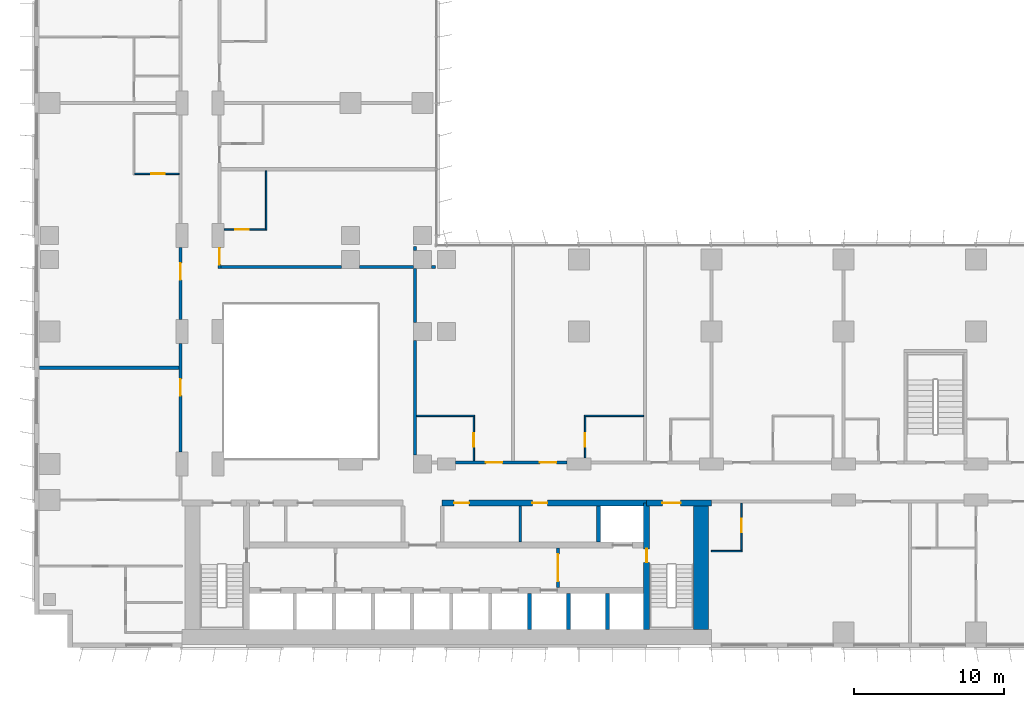
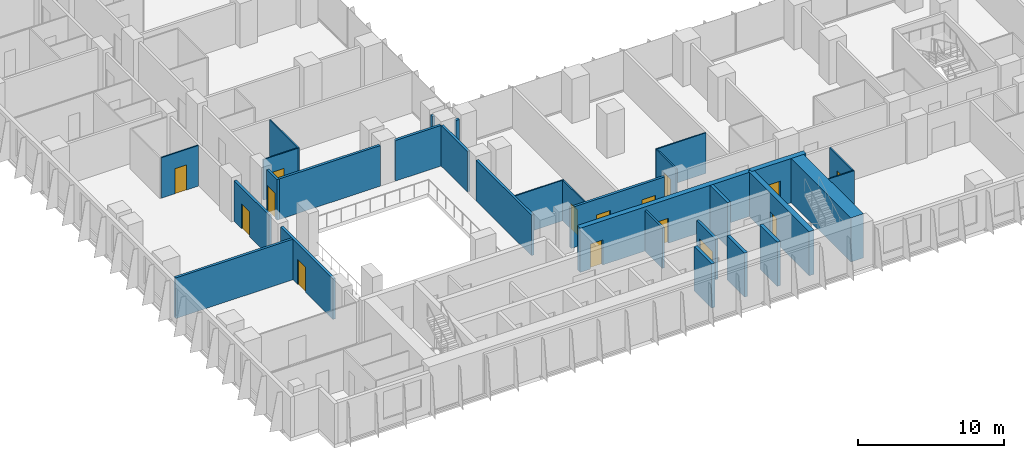
# One storey, part 13 of 24: 30 walls, 15 doors, 15 openings.
"""IFC4 building model written with IfcOpenShell, lengths in metres."""

from ifc_helpers import new_model, si_unit, direction, frame, frame_2d, origin, place, context, subcontext, project, spatial, rectangle, extrude, material, layer, layer_set, type_object, element, fill, save


model = new_model("IFC4")

# Units and contexts
model_context = context("Model", 3, precision=1e-05, world=origin(), true_north=direction((0.0, 1.0)))
body_context = subcontext(model_context, "Body", "Model", "MODEL_VIEW")
ifc_project = project(units=[si_unit("LENGTHUNIT", "METRE"), si_unit("AREAUNIT", "SQUARE_METRE"), si_unit("VOLUMEUNIT", "CUBIC_METRE"), si_unit("PLANEANGLEUNIT", "RADIAN"), si_unit("MASSUNIT", "GRAM", prefix="KILO")], contexts=[model_context])

# Site, building, storey
site_placement = place(None, origin())
site = spatial("IfcSite", under=ifc_project, at=site_placement, CompositionType="ELEMENT")
building_placement = place(site_placement, origin())
building = spatial("IfcBuilding", under=site, at=building_placement, Name="Kemantara Hotel Tower", CompositionType="ELEMENT")
storey_placement = place(building_placement, frame((0.0, 0.0, 76.0)))
storey = spatial("IfcBuildingStorey", under=building, at=storey_placement, Name="L17", CompositionType="ELEMENT", Elevation=76.0)

# Walls
ifc_material_1 = material(Name="Concrete fc 70 MPa", Category="concrete")
ifc_layer_1 = layer(ifc_material_1, 1.0)
ifc_layer_set_1 = layer_set([ifc_layer_1], Name="Concrete fc 70 MPa")
wall_type_1 = type_object("IfcWallType", Name="CORE WALL 1000 FC70", PredefinedType="SHEAR", material=ifc_layer_set_1)
wall_1_placement = place(storey_placement, frame((44.300048828125, 1.199951171875, 0.0), z_axis=(0.0, 0.0, 1.0), x_axis=(0.0, 1.0, 0.0)))
element("IfcWall", 1, at=wall_1_placement, inside=storey, type_object=wall_type_1, Name="CORE WALL CW-E", PredefinedType="SHEAR", context=body_context, shape_type="SweptSolid", body=[
    extrude(rectangle(XDim=8.60009765625, YDim=1.0, at=frame_2d((4.300048828125, 0.0))), origin(), (0.0, 0.0, 1.0), 3.699951171875),
])
ifc_layer_2 = layer(ifc_material_1, 0.25)
ifc_layer_set_2 = layer_set([ifc_layer_2], Name="Concrete fc 70 MPa")
wall_type_2 = type_object("IfcWallType", Name="CORE WALL 250 FC70", PredefinedType="SHEAR", material=ifc_layer_set_2)
for number, where, z_axis, x_axis, name in (
    (2, (32.89990234375, 1.199951171875, 0.0), (0.0, 0.0, 1.0), (0.0, 1.0, 0.0), "CORE WALL CW-DS32.9"),
    (3, (35.5, 1.199951171875, 0.0), (0.0, 0.0, 1.0), (0.0, 1.0, 0.0), "CORE WALL CW-DS35.5"),
    (4, (38.10009765625, 1.199951171875, 0.0), (0.0, 0.0, 1.0), (0.0, 1.0, 0.0), "CORE WALL CW-DS38.1"),
):
    element("IfcWall", number, at=place(storey_placement, frame(where, z_axis=z_axis, x_axis=x_axis)), inside=storey, type_object=wall_type_2, Name=name, PredefinedType="SHEAR", context=body_context, shape_type="SweptSolid", body=[
        extrude(rectangle(XDim=2.400146484375, YDim=0.25, at=frame_2d((1.2001953125, 0.0))), origin(), (0.0, 0.0, 1.0), 3.699951171875),
    ])
wall_2_placement = place(storey_placement, frame((37.5, 7.0, 0.0), z_axis=(0.0, 0.0, 1.0), x_axis=(0.0, 1.0, 0.0)))
element("IfcWall", 5, at=wall_2_placement, inside=storey, type_object=wall_type_2, Name="CORE WALL CW-DN37.5", PredefinedType="SHEAR", context=body_context, shape_type="SweptSolid", body=[
    extrude(rectangle(XDim=2.39990234375, YDim=0.25, at=frame_2d((1.199951171875, 0.0))), origin(), (0.0, 0.0, 1.0), 3.699951171875),
])

# Wall, opening, door
ifc_layer_3 = layer(ifc_material_1, 0.39990234375)
ifc_layer_set_3 = layer_set([ifc_layer_3], Name="Concrete fc 70 MPa")
wall_type_3 = type_object("IfcWallType", Name="CORE WALL 400 FC70", PredefinedType="SHEAR", material=ifc_layer_set_3)
wall_3_placement = place(storey_placement, frame((40.699951171875, 9.60009765625, 0.0), z_axis=(0.0, 0.0, 1.0), x_axis=(1.0, 0.0, 0.0)))
wall_3 = element("IfcWall", 6, at=wall_3_placement, inside=storey, type_object=wall_type_3, Name="CORE WALL CW-N2", PredefinedType="SHEAR", context=body_context, shape_type="SweptSolid", body=[
    extrude(rectangle(XDim=4.300048828125, YDim=0.39990234375, at=frame_2d((2.14990234375, 0.0))), origin(), (0.0, 0.0, 1.0), 3.699951171875),
])
opening_1_placement = place(wall_3_placement, frame((1.050048828125, 0.0, 0.0)))
opening_1 = element("IfcOpeningElement", 7, at=opening_1_placement, cuts=wall_3, Name="Opening C13-ST2-C", PredefinedType="OPENING", context=body_context, shape_type="SweptSolid", body=[
    extrude(rectangle(XDim=1.199951171875, YDim=2.10009765625, at=frame_2d((0.60009765625, 1.050048828125))), frame((0.0, 0.2099609375, 0.0), z_axis=(0.0, -1.0, 0.0), x_axis=(1.0, 0.0, 0.0)), (0.0, 0.0, 1.0), 0.419921875),
])
ifc_material_2 = material(Name="Steel fire door", Category="steel")
door_type_1 = type_object("IfcDoorType", Name="Fire door FD90 1200 x 2100", OperationType="NOTDEFINED", PredefinedType="DOOR", material=ifc_material_2)
door_1_placement = place(opening_1_placement, frame((1.199951171875, 0.0, 0.0), z_axis=(0.0, 0.0, 1.0), x_axis=(-1.0, 0.0, 0.0)))
door_1 = element("IfcDoor", 8, at=door_1_placement, inside=storey, type_object=door_type_1, Name="Stair ST2 door to corridor", OperationType="SINGLE_SWING_RIGHT", OverallHeight=2.10009765625, OverallWidth=1.199951171875, PredefinedType="DOOR", context=body_context, shape_type="SweptSolid", body=[
    extrude(rectangle(XDim=1.199951171875, YDim=2.10009765625, at=frame_2d((0.60009765625, 1.050048828125))), frame((0.0, 0.02490234375, 0.0), z_axis=(0.0, -1.0, 0.0), x_axis=(1.0, 0.0, 0.0)), (0.0, 0.0, 1.0), 0.050048828125),
])
fill(opening_1, door_1)

# Wall, openings, doors
wall_4_placement = place(storey_placement, frame((27.10009765625, 9.60009765625, 0.0), z_axis=(0.0, 0.0, 1.0), x_axis=(1.0, 0.0, 0.0)))
wall_4 = element("IfcWall", 9, at=wall_4_placement, inside=storey, type_object=wall_type_3, Name="CORE WALL CW-NN2", PredefinedType="SHEAR", context=body_context, shape_type="SweptSolid", body=[
    extrude(rectangle(XDim=13.599853515625, YDim=0.39990234375, at=frame_2d((6.7998046875, 0.0))), origin(), (0.0, 0.0, 1.0), 3.699951171875),
])
opening_2_placement = place(wall_4_placement, frame((0.800048828125, 0.0, 0.0)))
opening_2 = element("IfcOpeningElement", 10, at=opening_2_placement, cuts=wall_4, Name="Opening C13-R-NE1", PredefinedType="OPENING", context=body_context, shape_type="SweptSolid", body=[
    extrude(rectangle(XDim=1.0, YDim=2.10009765625, at=frame_2d((0.5, 1.050048828125))), frame((0.0, 0.2099609375, 0.0), z_axis=(0.0, -1.0, 0.0), x_axis=(1.0, 0.0, 0.0)), (0.0, 0.0, 1.0), 0.419921875),
])
opening_3_placement = place(wall_4_placement, frame((6.0, 0.0, 0.0)))
opening_3 = element("IfcOpeningElement", 11, at=opening_3_placement, cuts=wall_4, Name="Opening C13-R-NE2", PredefinedType="OPENING", context=body_context, shape_type="SweptSolid", body=[
    extrude(rectangle(XDim=1.0, YDim=2.10009765625, at=frame_2d((0.5, 1.050048828125))), frame((0.0, 0.2099609375, 0.0), z_axis=(0.0, -1.0, 0.0), x_axis=(1.0, 0.0, 0.0)), (0.0, 0.0, 1.0), 0.419921875),
])
door_type_2 = type_object("IfcDoorType", Name="Fire door FD30S 1000 x 2100", OperationType="NOTDEFINED", PredefinedType="DOOR", material=ifc_material_2)
door_2_placement = place(opening_2_placement, frame((1.0, 0.0, 0.0), z_axis=(0.0, 0.0, 1.0), x_axis=(-1.0, 0.0, 0.0)))
door_2 = element("IfcDoor", 12, at=door_2_placement, inside=storey, type_object=door_type_2, Name="Staff Lounge door", OperationType="SINGLE_SWING_RIGHT", OverallHeight=2.10009765625, OverallWidth=1.0, PredefinedType="DOOR", context=body_context, shape_type="SweptSolid", body=[
    extrude(rectangle(XDim=1.0, YDim=2.10009765625, at=frame_2d((0.5, 1.050048828125))), frame((0.0, 0.02490234375, 0.0), z_axis=(0.0, -1.0, 0.0), x_axis=(1.0, 0.0, 0.0)), (0.0, 0.0, 1.0), 0.050048828125),
])
fill(opening_2, door_2)
door_type_3 = type_object("IfcDoorType", Name="Fire door FD60 1000 x 2100", OperationType="NOTDEFINED", PredefinedType="DOOR", material=ifc_material_2)
door_3_placement = place(opening_3_placement, frame((1.0, 0.0, 0.0), z_axis=(0.0, 0.0, 1.0), x_axis=(-1.0, 0.0, 0.0)))
door_3 = element("IfcDoor", 13, at=door_3_placement, inside=storey, type_object=door_type_3, Name="It Equipment Room door", OperationType="SINGLE_SWING_RIGHT", OverallHeight=2.10009765625, OverallWidth=1.0, PredefinedType="DOOR", context=body_context, shape_type="SweptSolid", body=[
    extrude(rectangle(XDim=1.0, YDim=2.10009765625, at=frame_2d((0.5, 1.050048828125))), frame((0.0, 0.02490234375, 0.0), z_axis=(0.0, -1.0, 0.0), x_axis=(1.0, 0.0, 0.0)), (0.0, 0.0, 1.0), 0.050048828125),
])
fill(opening_3, door_3)

# Wall, opening, door
wall_5_placement = place(storey_placement, frame((40.699951171875, 1.199951171875, 0.0), z_axis=(0.0, 0.0, 1.0), x_axis=(0.0, 1.0, 0.0)))
wall_5 = element("IfcWall", 14, at=wall_5_placement, inside=storey, type_object=wall_type_3, Name="CORE WALL CW-ST2W", PredefinedType="SHEAR", context=body_context, shape_type="SweptSolid", body=[
    extrude(rectangle(XDim=8.400146484375, YDim=0.39990234375, at=frame_2d((4.2001953125, 0.0))), origin(), (0.0, 0.0, 1.0), 3.699951171875),
])
opening_4_placement = place(wall_5_placement, frame((4.449951171875, 0.0, 0.0)))
opening_4 = element("IfcOpeningElement", 15, at=opening_4_placement, cuts=wall_5, Name="Opening C13-ST2-F", PredefinedType="OPENING", context=body_context, shape_type="SweptSolid", body=[
    extrude(rectangle(XDim=0.89990234375, YDim=2.10009765625, at=frame_2d((0.449951171875, 1.050048828125))), frame((0.0, 0.2099609375, 0.0), z_axis=(0.0, -1.0, 0.0), x_axis=(1.0, 0.0, 0.0)), (0.0, 0.0, 1.0), 0.419921875),
])
door_type_4 = type_object("IfcDoorType", Name="Fire door FD90 900 x 2100", OperationType="NOTDEFINED", PredefinedType="DOOR", material=ifc_material_2)
door_4_placement = place(opening_4_placement, frame((0.89990234375, 0.0, 0.0), z_axis=(0.0, 0.0, 1.0), x_axis=(-1.0, 0.0, 0.0)))
door_4 = element("IfcDoor", 16, at=door_4_placement, inside=storey, type_object=door_type_4, Name="Stair ST2 door to firefighting lobby", OperationType="SINGLE_SWING_LEFT", OverallHeight=2.10009765625, OverallWidth=0.89990234375, PredefinedType="DOOR", context=body_context, shape_type="SweptSolid", body=[
    extrude(rectangle(XDim=0.89990234375, YDim=2.10009765625, at=frame_2d((0.449951171875, 1.050048828125))), frame((0.0, 0.02490234375, 0.0), z_axis=(0.0, -1.0, 0.0), x_axis=(1.0, 0.0, 0.0)), (0.0, 0.0, 1.0), 0.050048828125),
])
fill(opening_4, door_4)

# Wall, openings, doors
ifc_material_3 = material(Name="Gypsum board partition, steel studs and mineral wool, 200 mm", Category="steel")
ifc_layer_4 = layer(ifc_material_3, 0.199951171875)
ifc_layer_set_4 = layer_set([ifc_layer_4], Name="Gypsum board partition, steel studs and mineral wool, 200 mm")
wall_type_4 = type_object("IfcWallType", Name="CORRIDOR WALL 200", PredefinedType="PARTITIONING", material=ifc_layer_set_4)
wall_6_placement = place(storey_placement, frame((28.0, 12.300048828125, 0.0), z_axis=(0.0, 0.0, 1.0), x_axis=(1.0, 0.0, 0.0)))
wall_6 = element("IfcWall", 17, at=wall_6_placement, inside=storey, type_object=wall_type_4, Name="CORRIDOR WALL 200 010", PredefinedType="PARTITIONING", context=body_context, shape_type="SweptSolid", body=[
    extrude(rectangle(XDim=7.39990234375, YDim=0.199951171875, at=frame_2d((3.699951171875, 0.0))), origin(), (0.0, 0.0, 1.0), 3.39990234375),
])
opening_5_placement = place(wall_6_placement, frame((2.0, 0.0, 0.0)))
opening_5 = element("IfcOpeningElement", 18, at=opening_5_placement, cuts=wall_6, Name="Opening F06-013", PredefinedType="OPENING", context=body_context, shape_type="SweptSolid", body=[
    extrude(rectangle(XDim=1.10009765625, YDim=2.10009765625, at=frame_2d((0.550048828125, 1.050048828125))), frame((0.0, 0.10986328125, 0.0), z_axis=(0.0, -1.0, 0.0), x_axis=(1.0, 0.0, 0.0)), (0.0, 0.0, 1.0), 0.219970703125),
])
opening_6_placement = place(wall_6_placement, frame((5.599853515625, 0.0, 0.0)))
opening_6 = element("IfcOpeningElement", 19, at=opening_6_placement, cuts=wall_6, Name="Opening F06-015", PredefinedType="OPENING", context=body_context, shape_type="SweptSolid", body=[
    extrude(rectangle(XDim=1.10009765625, YDim=2.10009765625, at=frame_2d((0.550048828125, 1.050048828125))), frame((0.0, 0.10986328125, 0.0), z_axis=(0.0, -1.0, 0.0), x_axis=(1.0, 0.0, 0.0)), (0.0, 0.0, 1.0), 0.219970703125),
])
ifc_material_4 = material(Name="Hardwood veneer door leaf with steel frame", Category="steel")
door_type_5 = type_object("IfcDoorType", Name="SUITE ENTRANCE DOOR 1100 X 2100 FD30S", OperationType="NOTDEFINED", PredefinedType="DOOR", material=ifc_material_4)
door_5_placement = place(opening_5_placement, origin())
door_5 = element("IfcDoor", 20, at=door_5_placement, inside=storey, type_object=door_type_5, Name="SUITE ENTRANCE DOOR F06-013", OperationType="SINGLE_SWING_RIGHT", OverallHeight=2.10009765625, OverallWidth=1.10009765625, PredefinedType="DOOR", context=body_context, shape_type="SweptSolid", body=[
    extrude(rectangle(XDim=1.10009765625, YDim=2.10009765625, at=frame_2d((0.550048828125, 1.050048828125))), frame((0.0, 0.02490234375, 0.0), z_axis=(0.0, -1.0, 0.0), x_axis=(1.0, 0.0, 0.0)), (0.0, 0.0, 1.0), 0.050048828125),
])
fill(opening_5, door_5)
door_6_placement = place(opening_6_placement, origin())
door_6 = element("IfcDoor", 21, at=door_6_placement, inside=storey, type_object=door_type_5, Name="SUITE ENTRANCE DOOR F06-015", OperationType="SINGLE_SWING_LEFT", OverallHeight=2.10009765625, OverallWidth=1.10009765625, PredefinedType="DOOR", context=body_context, shape_type="SweptSolid", body=[
    extrude(rectangle(XDim=1.10009765625, YDim=2.10009765625, at=frame_2d((0.550048828125, 1.050048828125))), frame((0.0, 0.02490234375, 0.0), z_axis=(0.0, -1.0, 0.0), x_axis=(1.0, 0.0, 0.0)), (0.0, 0.0, 1.0), 0.050048828125),
])
fill(opening_6, door_6)

# Wall, opening, door
wall_7_placement = place(storey_placement, frame((9.699951171875, 13.0, 0.0), z_axis=(0.0, 0.0, 1.0), x_axis=(0.0, 1.0, 0.0)))
wall_7 = element("IfcWall", 22, at=wall_7_placement, inside=storey, type_object=wall_type_4, Name="CORRIDOR WALL 200 026", PredefinedType="PARTITIONING", context=body_context, shape_type="SweptSolid", body=[
    extrude(rectangle(XDim=7.199951171875, YDim=0.199951171875, at=frame_2d((3.60009765625, 0.0))), origin(), (0.0, 0.0, 1.0), 3.39990234375),
])
opening_7_placement = place(wall_7_placement, frame((3.75, 0.0, 0.0)))
opening_7 = element("IfcOpeningElement", 23, at=opening_7_placement, cuts=wall_7, Name="Opening F06-029", PredefinedType="OPENING", context=body_context, shape_type="SweptSolid", body=[
    extrude(rectangle(XDim=1.10009765625, YDim=2.10009765625, at=frame_2d((0.550048828125, 1.050048828125))), frame((0.0, 0.10986328125, 0.0), z_axis=(0.0, -1.0, 0.0), x_axis=(1.0, 0.0, 0.0)), (0.0, 0.0, 1.0), 0.219970703125),
])
door_7_placement = place(opening_7_placement, origin())
door_7 = element("IfcDoor", 24, at=door_7_placement, inside=storey, type_object=door_type_5, Name="SUITE ENTRANCE DOOR F06-029", OperationType="SINGLE_SWING_RIGHT", OverallHeight=2.10009765625, OverallWidth=1.10009765625, PredefinedType="DOOR", context=body_context, shape_type="SweptSolid", body=[
    extrude(rectangle(XDim=1.10009765625, YDim=2.10009765625, at=frame_2d((0.550048828125, 1.050048828125))), frame((0.0, 0.02490234375, 0.0), z_axis=(0.0, -1.0, 0.0), x_axis=(1.0, 0.0, 0.0)), (0.0, 0.0, 1.0), 0.050048828125),
])
fill(opening_7, door_7)

wall_8_placement = place(storey_placement, frame((9.699951171875, 21.800048828125, 0.0), z_axis=(0.0, 0.0, 1.0), x_axis=(0.0, 1.0, 0.0)))
wall_8 = element("IfcWall", 25, at=wall_8_placement, inside=storey, type_object=wall_type_4, Name="CORRIDOR WALL 200 027", PredefinedType="PARTITIONING", context=body_context, shape_type="SweptSolid", body=[
    extrude(rectangle(XDim=4.7998046875, YDim=0.199951171875, at=frame_2d((2.39990234375, 0.0))), origin(), (0.0, 0.0, 1.0), 3.39990234375),
])
opening_8_placement = place(wall_8_placement, frame((2.64990234375, 0.0, 0.0)))
opening_8 = element("IfcOpeningElement", 26, at=opening_8_placement, cuts=wall_8, Name="Opening F06-034", PredefinedType="OPENING", context=body_context, shape_type="SweptSolid", body=[
    extrude(rectangle(XDim=1.10009765625, YDim=2.10009765625, at=frame_2d((0.550048828125, 1.050048828125))), frame((0.0, 0.10986328125, 0.0), z_axis=(0.0, -1.0, 0.0), x_axis=(1.0, 0.0, 0.0)), (0.0, 0.0, 1.0), 0.219970703125),
])
door_8_placement = place(opening_8_placement, origin())
door_8 = element("IfcDoor", 27, at=door_8_placement, inside=storey, type_object=door_type_5, Name="SUITE ENTRANCE DOOR F06-034", OperationType="SINGLE_SWING_LEFT", OverallHeight=2.10009765625, OverallWidth=1.10009765625, PredefinedType="DOOR", context=body_context, shape_type="SweptSolid", body=[
    extrude(rectangle(XDim=1.10009765625, YDim=2.10009765625, at=frame_2d((0.550048828125, 1.050048828125))), frame((0.0, 0.02490234375, 0.0), z_axis=(0.0, -1.0, 0.0), x_axis=(1.0, 0.0, 0.0)), (0.0, 0.0, 1.0), 0.050048828125),
])
fill(opening_8, door_8)

wall_9_placement = place(storey_placement, frame((12.300048828125, 26.599853515625, 0.0), z_axis=(0.0, 0.0, 1.0), x_axis=(0.0, -1.0, 0.0)))
wall_9 = element("IfcWall", 28, at=wall_9_placement, inside=storey, type_object=wall_type_4, Name="CORRIDOR WALL 200 044", PredefinedType="PARTITIONING", context=body_context, shape_type="SweptSolid", body=[
    extrude(rectangle(XDim=1.39990234375, YDim=0.199951171875, at=frame_2d((0.699951171875, 0.0))), origin(), (0.0, 0.0, 1.0), 3.39990234375),
])
opening_9_placement = place(wall_9_placement, frame((0.0498046875, 0.0, 0.0)))
opening_9 = element("IfcOpeningElement", 29, at=opening_9_placement, cuts=wall_9, Name="Opening F06-052", PredefinedType="OPENING", context=body_context, shape_type="SweptSolid", body=[
    extrude(rectangle(XDim=1.10009765625, YDim=2.10009765625, at=frame_2d((0.550048828125, 1.050048828125))), frame((0.0, 0.10986328125, 0.0), z_axis=(0.0, -1.0, 0.0), x_axis=(1.0, 0.0, 0.0)), (0.0, 0.0, 1.0), 0.219970703125),
])
door_9_placement = place(opening_9_placement, origin())
door_9 = element("IfcDoor", 30, at=door_9_placement, inside=storey, type_object=door_type_5, Name="SUITE ENTRANCE DOOR F06-052", OperationType="SINGLE_SWING_RIGHT", OverallHeight=2.10009765625, OverallWidth=1.10009765625, PredefinedType="DOOR", context=body_context, shape_type="SweptSolid", body=[
    extrude(rectangle(XDim=1.10009765625, YDim=2.10009765625, at=frame_2d((0.550048828125, 1.050048828125))), frame((0.0, 0.02490234375, 0.0), z_axis=(0.0, -1.0, 0.0), x_axis=(1.0, 0.0, 0.0)), (0.0, 0.0, 1.0), 0.050048828125),
])
fill(opening_9, door_9)

# Walls
ifc_layer_5 = layer(ifc_material_3, 0.199951171875)
ifc_layer_set_5 = layer_set([ifc_layer_5], Name="Gypsum board partition, steel studs and mineral wool, 200 mm")
wall_type_5 = type_object("IfcWallType", Name="GUEST ROOM PARTY WALL 200", PredefinedType="PARTITIONING", material=ifc_layer_set_5)
wall_10_placement = place(storey_placement, frame((25.300048828125, 12.800048828125, 0.0), z_axis=(0.0, 0.0, 1.0), x_axis=(0.0, 1.0, 0.0)))
element("IfcWall", 31, at=wall_10_placement, inside=storey, type_object=wall_type_5, Name="GUEST ROOM PARTY WALL 200 016", PredefinedType="PARTITIONING", context=body_context, shape_type="SweptSolid", body=[
    extrude(rectangle(XDim=7.599853515625, YDim=0.199951171875, at=frame_2d((3.7998046875, 0.0))), origin(), (0.0, 0.0, 1.0), 3.39990234375),
])
wall_11_placement = place(storey_placement, frame((25.300048828125, 21.60009765625, 0.0), z_axis=(0.0, 0.0, 1.0), x_axis=(0.0, 1.0, 0.0)))
element("IfcWall", 32, at=wall_11_placement, inside=storey, type_object=wall_type_5, Name="GUEST ROOM PARTY WALL 200 017", PredefinedType="PARTITIONING", context=body_context, shape_type="SweptSolid", body=[
    extrude(rectangle(XDim=3.599853515625, YDim=0.199951171875, at=frame_2d((1.7998046875, 0.0))), origin(), (0.0, 0.0, 1.0), 3.39990234375),
])
wall_12_placement = place(storey_placement, frame((25.300048828125, 26.400146484375, 0.0), z_axis=(0.0, 0.0, 1.0), x_axis=(0.0, 1.0, 0.0)))
element("IfcWall", 33, at=wall_12_placement, inside=storey, type_object=wall_type_5, Name="GUEST ROOM PARTY WALL 200 018", PredefinedType="PARTITIONING", context=body_context, shape_type="SweptSolid", body=[
    extrude(rectangle(XDim=0.269775390625, YDim=0.199951171875, at=frame_2d((0.134765625, 0.0))), origin(), (0.0, 0.0, 1.0), 3.39990234375),
])
wall_13_placement = place(storey_placement, frame((0.31005859375, 18.60009765625, 0.0), z_axis=(0.0, 0.0, 1.0), x_axis=(1.0, 0.0, 0.0)))
element("IfcWall", 34, at=wall_13_placement, inside=storey, type_object=wall_type_5, Name="GUEST ROOM PARTY WALL 200 034", PredefinedType="PARTITIONING", context=body_context, shape_type="SweptSolid", body=[
    extrude(rectangle(XDim=9.2900390625, YDim=0.199951171875, at=frame_2d((4.64501953125, 0.0))), origin(), (0.0, 0.0, 1.0), 3.39990234375),
])
wall_14_placement = place(storey_placement, frame((12.39990234375, 25.300048828125, 0.0), z_axis=(0.0, 0.0, 1.0), x_axis=(1.0, 0.0, 0.0)))
element("IfcWall", 35, at=wall_14_placement, inside=storey, type_object=wall_type_5, Name="GUEST ROOM PARTY WALL 200 051", PredefinedType="PARTITIONING", context=body_context, shape_type="SweptSolid", body=[
    extrude(rectangle(XDim=8.0, YDim=0.199951171875, at=frame_2d((4.0, 0.0))), origin(), (0.0, 0.0, 1.0), 3.39990234375),
])
wall_15_placement = place(storey_placement, frame((21.60009765625, 25.300048828125, 0.0), z_axis=(0.0, 0.0, 1.0), x_axis=(1.0, 0.0, 0.0)))
element("IfcWall", 36, at=wall_15_placement, inside=storey, type_object=wall_type_5, Name="GUEST ROOM PARTY WALL 200 052", PredefinedType="PARTITIONING", context=body_context, shape_type="SweptSolid", body=[
    extrude(rectangle(XDim=3.599853515625, YDim=0.199951171875, at=frame_2d((1.7998046875, 0.0))), origin(), (0.0, 0.0, 1.0), 3.39990234375),
])
wall_16_placement = place(storey_placement, frame((26.400146484375, 25.300048828125, 0.0), z_axis=(0.0, 0.0, 1.0), x_axis=(1.0, 0.0, 0.0)))
element("IfcWall", 37, at=wall_16_placement, inside=storey, type_object=wall_type_5, Name="GUEST ROOM PARTY WALL 200 053", PredefinedType="PARTITIONING", context=body_context, shape_type="SweptSolid", body=[
    extrude(rectangle(XDim=0.269775390625, YDim=0.199951171875, at=frame_2d((0.134765625, 0.0))), origin(), (0.0, 0.0, 1.0), 3.39990234375),
])
ifc_material_5 = material(Name="Gypsum board partition")
ifc_layer_6 = layer(ifc_material_5, 0.14990234375)
ifc_layer_set_6 = layer_set([ifc_layer_6], Name="Gypsum board partition")
wall_type_6 = type_object("IfcWallType", Name="Gypsum board partition 150 mm", PredefinedType="PARTITIONING", material=ifc_layer_set_6)
wall_17_placement = place(storey_placement, frame((32.300048828125, 7.0, 0.0), z_axis=(0.0, 0.0, 1.0), x_axis=(0.0, 1.0, 0.0)))
element("IfcWall", 38, at=wall_17_placement, inside=storey, type_object=wall_type_6, Name="Core room partition", PredefinedType="PARTITIONING", context=body_context, shape_type="SweptSolid", body=[
    extrude(rectangle(XDim=2.39990234375, YDim=0.14990234375, at=frame_2d((1.199951171875, 0.0))), origin(), (0.0, 0.0, 1.0), 3.39990234375),
])

# Wall, opening, door
ifc_material_6 = material(Name="Gypsum board shaft wall")
ifc_layer_7 = layer(ifc_material_6, 0.199951171875)
ifc_layer_set_7 = layer_set([ifc_layer_7], Name="Gypsum board shaft wall")
wall_type_7 = type_object("IfcWallType", Name="Gypsum board shaft wall 200 mm", PredefinedType="PARTITIONING", material=ifc_layer_set_7)
wall_18_placement = place(storey_placement, frame((34.800048828125, 4.0, 0.0), z_axis=(0.0, 0.0, 1.0), x_axis=(0.0, 1.0, 0.0)))
wall_18 = element("IfcWall", 39, at=wall_18_placement, inside=storey, type_object=wall_type_7, Name="Firefighting lobby partition east", PredefinedType="PARTITIONING", context=body_context, shape_type="SweptSolid", body=[
    extrude(rectangle(XDim=2.60009765625, YDim=0.199951171875, at=frame_2d((1.300048828125, 0.0))), origin(), (0.0, 0.0, 1.0), 3.39990234375),
])
opening_10_placement = place(wall_18_placement, frame((0.39990234375, 0.0, 0.0)))
opening_10 = element("IfcOpeningElement", 40, at=opening_10_placement, cuts=wall_18, Name="Opening C13-FFE", PredefinedType="OPENING", context=body_context, shape_type="SweptSolid", body=[
    extrude(rectangle(XDim=1.800048828125, YDim=2.10009765625, at=frame_2d((0.89990234375, 1.050048828125))), frame((0.0, 0.10986328125, 0.0), z_axis=(0.0, -1.0, 0.0), x_axis=(1.0, 0.0, 0.0)), (0.0, 0.0, 1.0), 0.219970703125),
])
door_type_6 = type_object("IfcDoorType", Name="Fire door pair FD60 1800 x 2100", OperationType="DOUBLE_DOOR_SINGLE_SWING", PredefinedType="DOOR", material=ifc_material_2)
door_10_placement = place(opening_10_placement, frame((1.800048828125, 0.0, 0.0), z_axis=(0.0, 0.0, 1.0), x_axis=(-1.0, 0.0, 0.0)))
door_10 = element("IfcDoor", 41, at=door_10_placement, inside=storey, type_object=door_type_6, Name="Firefighting lobby door east", OperationType="DOUBLE_DOOR_SINGLE_SWING", OverallHeight=2.10009765625, OverallWidth=1.800048828125, PredefinedType="DOOR", context=body_context, shape_type="SweptSolid", body=[
    extrude(rectangle(XDim=1.800048828125, YDim=2.10009765625, at=frame_2d((0.89990234375, 1.050048828125))), frame((0.0, 0.02490234375, 0.0), z_axis=(0.0, -1.0, 0.0), x_axis=(1.0, 0.0, 0.0)), (0.0, 0.0, 1.0), 0.050048828125),
])
fill(opening_10, door_10)

# Wall
ifc_material_7 = material(Name="Gypsum board partition on steel studs, 100 mm", Category="steel")
ifc_layer_8 = layer(ifc_material_7, 0.10009765625)
ifc_layer_set_8 = layer_set([ifc_layer_8], Name="Gypsum board partition on steel studs, 100 mm")
wall_type_8 = type_object("IfcWallType", Name="ROOM PARTITION 100", PredefinedType="PARTITIONING", material=ifc_layer_set_8)
wall_19_placement = place(storey_placement, frame((45.0, 6.39990234375, 0.0), z_axis=(0.0, 0.0, 1.0), x_axis=(1.0, 0.0, 0.0)))
element("IfcWall", 42, at=wall_19_placement, inside=storey, type_object=wall_type_8, Name="ROOM PARTITION 100 058", PredefinedType="PARTITIONING", context=body_context, shape_type="SweptSolid", body=[
    extrude(rectangle(XDim=2.050048828125, YDim=0.10009765625, at=frame_2d((1.02490234375, 0.0))), origin(), (0.0, 0.0, 1.0), 3.39990234375),
])

# Wall, opening, door
wall_20_placement = place(storey_placement, frame((47.0, 6.449951171875, 0.0), z_axis=(0.0, 0.0, 1.0), x_axis=(0.0, 1.0, 0.0)))
wall_20 = element("IfcWall", 43, at=wall_20_placement, inside=storey, type_object=wall_type_8, Name="ROOM PARTITION 100 059", PredefinedType="PARTITIONING", context=body_context, shape_type="SweptSolid", body=[
    extrude(rectangle(XDim=3.150146484375, YDim=0.10009765625, at=frame_2d((1.5751953125, 0.0))), origin(), (0.0, 0.0, 1.0), 3.39990234375),
])
opening_11_placement = place(wall_20_placement, frame((1.199951171875, 0.0, 0.0)))
opening_11 = element("IfcOpeningElement", 44, at=opening_11_placement, cuts=wall_20, Name="Opening F06-002", PredefinedType="OPENING", context=body_context, shape_type="SweptSolid", body=[
    extrude(rectangle(XDim=0.89990234375, YDim=2.10009765625, at=frame_2d((0.449951171875, 1.050048828125))), frame((0.0, 0.06005859375, 0.0), z_axis=(0.0, -1.0, 0.0), x_axis=(1.0, 0.0, 0.0)), (0.0, 0.0, 1.0), 0.1201171875),
])
door_type_7 = type_object("IfcDoorType", Name="PANTRY DOOR 900 X 2100", OperationType="NOTDEFINED", PredefinedType="DOOR", material=ifc_material_4)
door_11_placement = place(opening_11_placement, origin())
door_11 = element("IfcDoor", 45, at=door_11_placement, inside=storey, type_object=door_type_7, Name="PANTRY DOOR F06-002", OperationType="SINGLE_SWING_RIGHT", OverallHeight=2.10009765625, OverallWidth=0.89990234375, PredefinedType="DOOR", context=body_context, shape_type="SweptSolid", body=[
    extrude(rectangle(XDim=0.89990234375, YDim=2.10009765625, at=frame_2d((0.449951171875, 1.050048828125))), frame((0.0, 0.02490234375, 0.0), z_axis=(0.0, -1.0, 0.0), x_axis=(1.0, 0.0, 0.0)), (0.0, 0.0, 1.0), 0.050048828125),
])
fill(opening_11, door_11)

# Walls
wall_21_placement = place(storey_placement, frame((25.39990234375, 15.39990234375, 0.0), z_axis=(0.0, 0.0, 1.0), x_axis=(1.0, 0.0, 0.0)))
element("IfcWall", 46, at=wall_21_placement, inside=storey, type_object=wall_type_8, Name="ROOM PARTITION 100 068", PredefinedType="PARTITIONING", context=body_context, shape_type="SweptSolid", body=[
    extrude(rectangle(XDim=3.85009765625, YDim=0.10009765625, at=frame_2d((1.925048828125, 0.0))), origin(), (0.0, 0.0, 1.0), 3.39990234375),
])
wall_22_placement = place(storey_placement, frame((36.550048828125, 15.39990234375, 0.0), z_axis=(0.0, 0.0, 1.0), x_axis=(1.0, 0.0, 0.0)))
element("IfcWall", 47, at=wall_22_placement, inside=storey, type_object=wall_type_8, Name="ROOM PARTITION 100 069", PredefinedType="PARTITIONING", context=body_context, shape_type="SweptSolid", body=[
    extrude(rectangle(XDim=3.949951171875, YDim=0.10009765625, at=frame_2d((1.97509765625, 0.0))), origin(), (0.0, 0.0, 1.0), 3.39990234375),
])

# Wall, opening, door
wall_23_placement = place(storey_placement, frame((29.199951171875, 12.39990234375, 0.0), z_axis=(0.0, 0.0, 1.0), x_axis=(0.0, 1.0, 0.0)))
wall_23 = element("IfcWall", 48, at=wall_23_placement, inside=storey, type_object=wall_type_8, Name="ROOM PARTITION 100 071", PredefinedType="PARTITIONING", context=body_context, shape_type="SweptSolid", body=[
    extrude(rectangle(XDim=2.9501953125, YDim=0.10009765625, at=frame_2d((1.47509765625, 0.0))), origin(), (0.0, 0.0, 1.0), 3.39990234375),
])
opening_12_placement = place(wall_23_placement, frame((0.949951171875, 0.0, 0.0)))
opening_12 = element("IfcOpeningElement", 49, at=opening_12_placement, cuts=wall_23, Name="Opening F06-014", PredefinedType="OPENING", context=body_context, shape_type="SweptSolid", body=[
    extrude(rectangle(XDim=0.89990234375, YDim=2.10009765625, at=frame_2d((0.449951171875, 1.050048828125))), frame((0.0, 0.06005859375, 0.0), z_axis=(0.0, -1.0, 0.0), x_axis=(1.0, 0.0, 0.0)), (0.0, 0.0, 1.0), 0.1201171875),
])
door_type_8 = type_object("IfcDoorType", Name="BATHROOM DOOR 900 X 2100", OperationType="NOTDEFINED", PredefinedType="DOOR", material=ifc_material_4)
door_12_placement = place(opening_12_placement, origin())
door_12 = element("IfcDoor", 50, at=door_12_placement, inside=storey, type_object=door_type_8, Name="BATHROOM DOOR F06-014", OperationType="SINGLE_SWING_LEFT", OverallHeight=2.10009765625, OverallWidth=0.89990234375, PredefinedType="DOOR", context=body_context, shape_type="SweptSolid", body=[
    extrude(rectangle(XDim=0.89990234375, YDim=2.10009765625, at=frame_2d((0.449951171875, 1.050048828125))), frame((0.0, 0.02490234375, 0.0), z_axis=(0.0, -1.0, 0.0), x_axis=(1.0, 0.0, 0.0)), (0.0, 0.0, 1.0), 0.050048828125),
])
fill(opening_12, door_12)

wall_24_placement = place(storey_placement, frame((36.60009765625, 15.35009765625, 0.0), z_axis=(0.0, 0.0, 1.0), x_axis=(0.0, -1.0, 0.0)))
wall_24 = element("IfcWall", 51, at=wall_24_placement, inside=storey, type_object=wall_type_8, Name="ROOM PARTITION 100 072", PredefinedType="PARTITIONING", context=body_context, shape_type="SweptSolid", body=[
    extrude(rectangle(XDim=2.75, YDim=0.10009765625, at=frame_2d((1.375, 0.0))), origin(), (0.0, 0.0, 1.0), 3.39990234375),
])
opening_13_placement = place(wall_24_placement, frame((1.10009765625, 0.0, 0.0)))
opening_13 = element("IfcOpeningElement", 52, at=opening_13_placement, cuts=wall_24, Name="Opening F06-016", PredefinedType="OPENING", context=body_context, shape_type="SweptSolid", body=[
    extrude(rectangle(XDim=0.89990234375, YDim=2.10009765625, at=frame_2d((0.449951171875, 1.050048828125))), frame((0.0, 0.06005859375, 0.0), z_axis=(0.0, -1.0, 0.0), x_axis=(1.0, 0.0, 0.0)), (0.0, 0.0, 1.0), 0.1201171875),
])
door_13_placement = place(opening_13_placement, origin())
door_13 = element("IfcDoor", 53, at=door_13_placement, inside=storey, type_object=door_type_8, Name="BATHROOM DOOR F06-016", OperationType="SINGLE_SWING_RIGHT", OverallHeight=2.10009765625, OverallWidth=0.89990234375, PredefinedType="DOOR", context=body_context, shape_type="SweptSolid", body=[
    extrude(rectangle(XDim=0.89990234375, YDim=2.10009765625, at=frame_2d((0.449951171875, 1.050048828125))), frame((0.0, 0.02490234375, 0.0), z_axis=(0.0, -1.0, 0.0), x_axis=(1.0, 0.0, 0.0)), (0.0, 0.0, 1.0), 0.050048828125),
])
fill(opening_13, door_13)

wall_25_placement = place(storey_placement, frame((6.64990234375, 31.5, 0.0), z_axis=(0.0, 0.0, 1.0), x_axis=(1.0, 0.0, 0.0)))
wall_25 = element("IfcWall", 54, at=wall_25_placement, inside=storey, type_object=wall_type_8, Name="ROOM PARTITION 100 095", PredefinedType="PARTITIONING", context=body_context, shape_type="SweptSolid", body=[
    extrude(rectangle(XDim=2.9501953125, YDim=0.10009765625, at=frame_2d((1.47509765625, 0.0))), origin(), (0.0, 0.0, 1.0), 3.39990234375),
])
opening_14_placement = place(wall_25_placement, frame((1.10009765625, 0.0, 0.0)))
opening_14 = element("IfcOpeningElement", 55, at=opening_14_placement, cuts=wall_25, Name="Opening F06-035", PredefinedType="OPENING", context=body_context, shape_type="SweptSolid", body=[
    extrude(rectangle(XDim=0.89990234375, YDim=2.10009765625, at=frame_2d((0.449951171875, 1.050048828125))), frame((0.0, 0.06005859375, 0.0), z_axis=(0.0, -1.0, 0.0), x_axis=(1.0, 0.0, 0.0)), (0.0, 0.0, 1.0), 0.1201171875),
])
door_14_placement = place(opening_14_placement, origin())
door_14 = element("IfcDoor", 56, at=door_14_placement, inside=storey, type_object=door_type_8, Name="BATHROOM DOOR F06-035", OperationType="SINGLE_SWING_RIGHT", OverallHeight=2.10009765625, OverallWidth=0.89990234375, PredefinedType="DOOR", context=body_context, shape_type="SweptSolid", body=[
    extrude(rectangle(XDim=0.89990234375, YDim=2.10009765625, at=frame_2d((0.449951171875, 1.050048828125))), frame((0.0, 0.02490234375, 0.0), z_axis=(0.0, -1.0, 0.0), x_axis=(1.0, 0.0, 0.0)), (0.0, 0.0, 1.0), 0.050048828125),
])
fill(opening_14, door_14)

# Wall
wall_26_placement = place(storey_placement, frame((15.39990234375, 27.75, 0.0), z_axis=(0.0, 0.0, 1.0), x_axis=(0.0, 1.0, 0.0)))
element("IfcWall", 57, at=wall_26_placement, inside=storey, type_object=wall_type_8, Name="ROOM PARTITION 100 106", PredefinedType="PARTITIONING", context=body_context, shape_type="SweptSolid", body=[
    extrude(rectangle(XDim=3.949951171875, YDim=0.10009765625, at=frame_2d((1.97509765625, 0.0))), origin(), (0.0, 0.0, 1.0), 3.39990234375),
])

# Wall, opening, door
wall_27_placement = place(storey_placement, frame((12.60009765625, 27.800048828125, 0.0), z_axis=(0.0, 0.0, 1.0), x_axis=(1.0, 0.0, 0.0)))
wall_27 = element("IfcWall", 58, at=wall_27_placement, inside=storey, type_object=wall_type_8, Name="ROOM PARTITION 100 110", PredefinedType="PARTITIONING", context=body_context, shape_type="SweptSolid", body=[
    extrude(rectangle(XDim=2.75, YDim=0.10009765625, at=frame_2d((1.375, 0.0))), origin(), (0.0, 0.0, 1.0), 3.39990234375),
])
opening_15_placement = place(wall_27_placement, frame((0.75, 0.0, 0.0)))
opening_15 = element("IfcOpeningElement", 59, at=opening_15_placement, cuts=wall_27, Name="Opening F06-053", PredefinedType="OPENING", context=body_context, shape_type="SweptSolid", body=[
    extrude(rectangle(XDim=0.89990234375, YDim=2.10009765625, at=frame_2d((0.449951171875, 1.050048828125))), frame((0.0, 0.06005859375, 0.0), z_axis=(0.0, -1.0, 0.0), x_axis=(1.0, 0.0, 0.0)), (0.0, 0.0, 1.0), 0.1201171875),
])
door_15_placement = place(opening_15_placement, origin())
door_15 = element("IfcDoor", 60, at=door_15_placement, inside=storey, type_object=door_type_8, Name="BATHROOM DOOR F06-053", OperationType="SINGLE_SWING_LEFT", OverallHeight=2.10009765625, OverallWidth=0.89990234375, PredefinedType="DOOR", context=body_context, shape_type="SweptSolid", body=[
    extrude(rectangle(XDim=0.89990234375, YDim=2.10009765625, at=frame_2d((0.449951171875, 1.050048828125))), frame((0.0, 0.02490234375, 0.0), z_axis=(0.0, -1.0, 0.0), x_axis=(1.0, 0.0, 0.0)), (0.0, 0.0, 1.0), 0.050048828125),
])
fill(opening_15, door_15)

save(model, "model.ifc")
